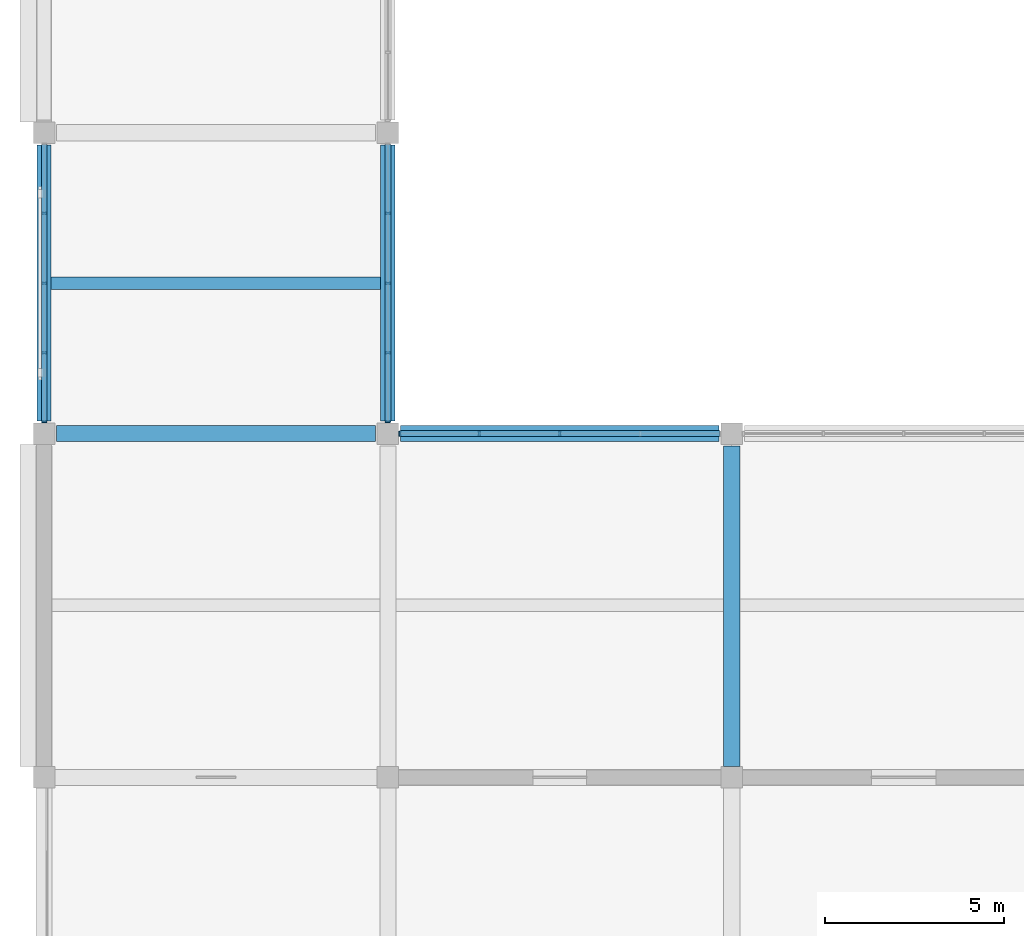
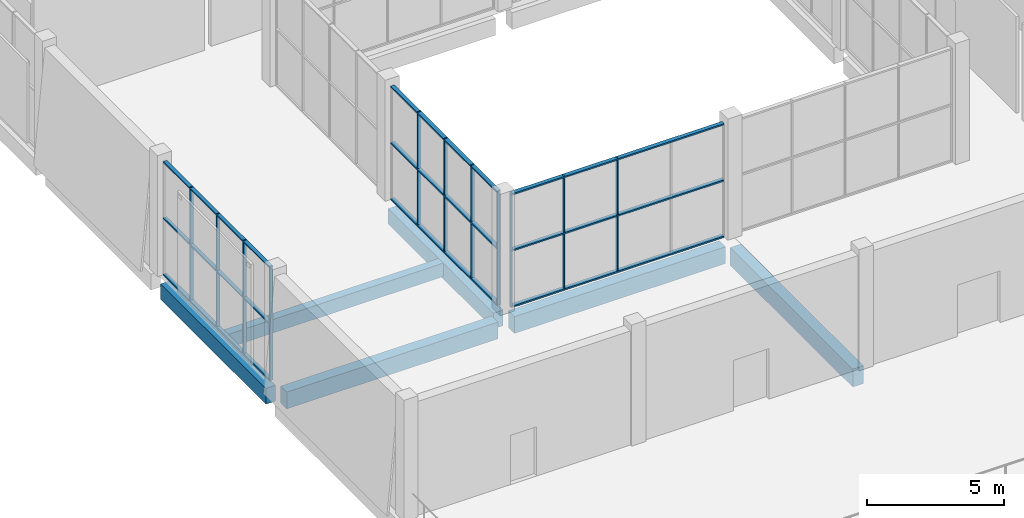
# One storey, part 21 of 83: 20 members, 6 beams, 3 elements without a shape of their own.
"""IFC4 building model written with IfcOpenShell, lengths in metres."""

import ifcopenshell
import ifcopenshell.guid

model = None  # the IFC model being written
_history = None  # IfcOwnerHistory: only IFC2X3 demands one
_inside = {}  # id of a spatial element -> (the spatial element, [elements in it])
_under = {}  # id of a project, library or spatial element -> (it, [spatial elements below it])
_declared = {}  # id of a project -> (the project, [libraries it declares])
_typed = {}  # id of a type object -> (the type object, [elements of that type])
_made_of = {}  # id of a material, layer set ... -> (it, [elements and type objects made of it])


def new_model(schema):
    """Start an empty IFC model of exactly this schema.

    Asked for "IFC4X3", IfcOpenShell would pick the latest addendum, in which some entities
    have other attributes; the version numbers below select the first issue.
    IFC2X3 requires an IfcOwnerHistory on every rooted entity: one is made here for all.
    """
    global model, _history
    if schema == "IFC4X3":
        model = ifcopenshell.file(schema_version=(4, 3, 0, 0))
    else:
        model = ifcopenshell.file(schema=schema)
    _inside.clear()
    _under.clear()
    _declared.clear()
    _typed.clear()
    _made_of.clear()
    _history = None
    if model.schema == "IFC2X3":
        org = make("IfcOrganization", Name="unknown")
        user = make(
            "IfcPersonAndOrganization",
            ThePerson=make("IfcPerson", FamilyName="unknown"),
            TheOrganization=org,
        )
        app = make(
            "IfcApplication",
            ApplicationDeveloper=org,
            Version="unknown",
            ApplicationFullName="unknown",
            ApplicationIdentifier="unknown",
        )
        _history = make(
            "IfcOwnerHistory",
            OwningUser=user,
            OwningApplication=app,
            ChangeAction="ADDED",
            CreationDate=0,
        )
    return model


def make(cls, **values):
    """One entity of the class cls with the attributes given. An attribute that is None is left unset."""
    return model.create_entity(
        cls, **{name: value for name, value in values.items() if value is not None}
    )


def rooted(cls, **values):
    """An entity with a GlobalId (a new one), such as an element, a storey or a relation."""
    return make(cls, GlobalId=ifcopenshell.guid.new(), OwnerHistory=_history, **values)


def si_unit(unit_type, name, prefix=None):
    """IfcSIUnit, for example si_unit("LENGTHUNIT", "METRE", prefix="MILLI")."""
    return make("IfcSIUnit", UnitType=unit_type, Prefix=prefix, Name=name)


def assignment(units):
    """IfcUnitAssignment: the units of a project."""
    return None if units is None else make("IfcUnitAssignment", Units=units)


def point(xyz):
    """IfcCartesianPoint."""
    return None if xyz is None else make("IfcCartesianPoint", Coordinates=xyz)


def direction(xyz):
    """IfcDirection."""
    return None if xyz is None else make("IfcDirection", DirectionRatios=xyz)


def frame(location, z_axis=None, x_axis=None):
    """IfcAxis2Placement3D, a coordinate frame: its origin and axes. An axis left out is left unset."""
    return make(
        "IfcAxis2Placement3D",
        Location=point(location),
        Axis=direction(z_axis),
        RefDirection=direction(x_axis),
    )


def frame_2d(location, x_axis=None):
    """IfcAxis2Placement2D, a coordinate frame in the plane: its origin and x axis."""
    return make(
        "IfcAxis2Placement2D", Location=point(location), RefDirection=direction(x_axis)
    )


def origin():
    """The frame at (0, 0, 0) with its axes left unset."""
    return frame((0.0, 0.0, 0.0))


def origin_2d():
    """The frame at (0, 0) in the plane with its x axis left unset."""
    return frame_2d((0.0, 0.0))


def place(relative_to, where):
    """IfcLocalPlacement: puts the frame where relative to a parent placement (None: the world)."""
    return make(
        "IfcLocalPlacement", PlacementRelTo=relative_to, RelativePlacement=where
    )


def context(
    kind, dimensions, precision=None, world=None, true_north=None, identifier=None
):
    """IfcGeometricRepresentationContext, for example the 3D "Model" context."""
    return make(
        "IfcGeometricRepresentationContext",
        ContextIdentifier=identifier,
        ContextType=kind,
        CoordinateSpaceDimension=dimensions,
        Precision=precision,
        WorldCoordinateSystem=world,
        TrueNorth=true_north,
    )


def subcontext(parent, identifier, kind, view, scale=None):
    """IfcGeometricRepresentationSubContext, for example "Body" below "Model"."""
    return make(
        "IfcGeometricRepresentationSubContext",
        ContextIdentifier=identifier,
        ContextType=kind,
        ParentContext=parent,
        TargetScale=scale,
        TargetView=view,
    )


def project(units=None, contexts=None):
    """IfcProject with its units and contexts."""
    return rooted(
        "IfcProject",
        Name="project",
        RepresentationContexts=contexts,
        UnitsInContext=assignment(units),
    )


def spatial(cls, under=None, at=None, **own):
    """A site, building, storey or space (cls), placed at a placement, below another one or the project."""
    s = rooted(cls, ObjectPlacement=at, **own)
    if under is not None:
        _under.setdefault(under.id(), (under, []))[1].append(s)
    return s


def profile(cls, at=None, kind="AREA", **sizes):
    """A parametric profile (cls). Its sizes go by their IFC names, for example OverallWidth=200.0."""
    return make(cls, ProfileType=kind, Position=at, **sizes)


def rectangle(**sizes):
    """IfcRectangleProfileDef."""
    return profile("IfcRectangleProfileDef", **sizes)


def extrude(swept, where, along, depth):
    """IfcExtrudedAreaSolid: the profile swept, set in the frame where, extruded along a direction by depth."""
    return make(
        "IfcExtrudedAreaSolid",
        SweptArea=swept,
        Position=where,
        ExtrudedDirection=direction(along),
        Depth=depth,
    )


def shape(context_of_items, identifier, shape_type, items):
    """IfcShapeRepresentation: the items that make up one representation, for example the "Body"."""
    return make(
        "IfcShapeRepresentation",
        ContextOfItems=context_of_items,
        RepresentationIdentifier=identifier,
        RepresentationType=shape_type,
        Items=items,
    )


def material(Name=None, Category=None):
    """IfcMaterial."""
    return make("IfcMaterial", Name=Name, Category=Category)


def material_profile(
    of_material, cross_section, Name=None, Category=None, Priority=None
):
    """IfcMaterialProfile: a cross section and its material."""
    return make(
        "IfcMaterialProfile",
        Name=Name,
        Material=of_material,
        Profile=cross_section,
        Priority=Priority,
        Category=Category,
    )


def profile_set(profiles, Name=None, composite=None):
    """IfcMaterialProfileSet."""
    return make(
        "IfcMaterialProfileSet",
        Name=Name,
        MaterialProfiles=profiles,
        CompositeProfile=composite,
    )


def made_of(thing, what):
    """Note that an element or type object is made of a material, layer set ...; save() writes the relation."""
    if what is not None:
        _made_of.setdefault(what.id(), (what, []))[1].append(thing)
    return thing


def type_object(cls, material=None, **own):
    """A type object (cls), such as IfcWallType, which elements share."""
    return made_of(rooted(cls, **own), material)


def element(
    cls,
    number,
    at=None,
    inside=None,
    cuts=None,
    type_object=None,
    material=None,
    context=None,
    identifier="Body",
    shape_type=None,
    held_by="IfcProductDefinitionShape",
    body=None,
    shapes=None,
    **own,
):
    """One element of the class cls, such as IfcWall. Its Tag is "e" and its number.

    at: its placement. inside: the storey or other place that contains it. cuts: it is an
    opening in that element (IfcRelVoidsElement). A single representation is given by context,
    identifier, shape_type and body (its items); several are given by shapes. held_by: the class
    of the entity that holds the representations. save() writes the other relations.
    """
    e = rooted(cls, Tag="e%d" % number, ObjectPlacement=at, **own)
    if body is not None:
        shapes = [shape(context, identifier, shape_type, body)]
    if shapes is not None:
        e.Representation = make(held_by, Representations=shapes)
    if inside is not None:
        _inside.setdefault(inside.id(), (inside, []))[1].append(e)
    if cuts is not None:
        rooted(
            "IfcRelVoidsElement", RelatingBuildingElement=cuts, RelatedOpeningElement=e
        )
    if type_object is not None:
        _typed.setdefault(type_object.id(), (type_object, []))[1].append(e)
    return made_of(e, material)


def aggregate(whole, parts):
    """IfcRelAggregates: a whole, such as a stair, and the parts it consists of."""
    return rooted("IfcRelAggregates", RelatingObject=whole, RelatedObjects=parts)


def save(model, path):
    """Write the relations noted so far, then the file.

    IfcRelAggregates (storeys below a building ...), IfcRelContainedInSpatialStructure (elements
    in a storey), IfcRelDefinesByType, IfcRelAssociatesMaterial and IfcRelDeclares: one each for
    every whole, place, type object, material and project.
    """
    for whole, parts in _under.values():
        aggregate(whole, parts)
    for where, things in _inside.values():
        rooted(
            "IfcRelContainedInSpatialStructure",
            RelatedElements=things,
            RelatingStructure=where,
        )
    for kind, things in _typed.values():
        rooted("IfcRelDefinesByType", RelatedObjects=things, RelatingType=kind)
    for what, things in _made_of.values():
        rooted("IfcRelAssociatesMaterial", RelatedObjects=things, RelatingMaterial=what)
    for by, libraries in _declared.values():
        rooted("IfcRelDeclares", RelatingContext=by, RelatedDefinitions=libraries)
    model.write(path)


model = new_model("IFC4")

# Units and contexts
model_context = context("Model", 3, precision=1e-05, world=origin(), true_north=direction((0.0, 1.0)))
body_context = subcontext(model_context, "Body", "Model", "MODEL_VIEW")
ifc_project = project(units=[si_unit("LENGTHUNIT", "METRE"), si_unit("AREAUNIT", "SQUARE_METRE"), si_unit("VOLUMEUNIT", "CUBIC_METRE"), si_unit("PLANEANGLEUNIT", "RADIAN"), si_unit("MASSUNIT", "GRAM", prefix="KILO")], contexts=[model_context])

# Site, building, storey
site_placement = place(None, origin())
site = spatial("IfcSite", under=ifc_project, at=site_placement, CompositionType="ELEMENT")
building_placement = place(site_placement, origin())
building = spatial("IfcBuilding", under=site, at=building_placement, Name="Shalvenor Court Art Gallery", CompositionType="ELEMENT")
storey_placement = place(building_placement, frame((0.0, 0.0, 6.0)))
storey = spatial("IfcBuildingStorey", under=building, at=storey_placement, Name="L01", CompositionType="ELEMENT", Elevation=6.0)

# Beams
ifc_material_1 = material(Name="Concrete C40/50", Category="concrete")
ifc_material_profile_1 = material_profile(ifc_material_1, rectangle(XDim=0.449951171875, YDim=0.800048828125, at=origin_2d()), Name="RC 450x800")
ifc_profile_set_1 = profile_set([ifc_material_profile_1], Name="Concrete C40/50")
beam_type_1 = type_object("IfcBeamType", Name="B-03", PredefinedType="BEAM", material=ifc_profile_set_1)
beam_1_placement = place(storey_placement, frame((19.199951171875, 79.5, -0.719970703125), z_axis=(0.0, 1.0, 0.0), x_axis=(-1.0, 0.0, 0.0)))
element("IfcBeam", 1, at=beam_1_placement, inside=storey, type_object=beam_type_1, Name="L01 Girder BM-L01-B-03-0378", PredefinedType="BEAM", context=body_context, shape_type="SweptSolid", body=[
    extrude(rectangle(XDim=0.449951171875, YDim=0.800048828125, at=origin_2d()), origin(), (0.0, 0.0, 1.0), 8.949951171875),
])
ifc_material_2 = material(Name="Concrete C40/50", Category="concrete")
ifc_material_profile_2 = material_profile(ifc_material_2, rectangle(XDim=0.449951171875, YDim=0.75, at=origin_2d()), Name="RC 450x750")
ifc_profile_set_2 = profile_set([ifc_material_profile_2], Name="Concrete C40/50")
beam_type_2 = type_object("IfcBeamType", Name="B-04", PredefinedType="BEAM", material=ifc_profile_set_2)
beam_2_placement = place(storey_placement, frame((0.35009765625, 88.800048828125, -0.695068359375), z_axis=(1.0, 0.0, 0.0), x_axis=(0.0, 1.0, 0.0)))
element("IfcBeam", 2, at=beam_2_placement, inside=storey, type_object=beam_type_2, Name="L01 Girder BM-L01-B-04-0572", PredefinedType="BEAM", context=body_context, shape_type="SweptSolid", body=[
    extrude(rectangle(XDim=0.449951171875, YDim=0.75, at=origin_2d()), origin(), (0.0, 0.0, 1.0), 8.89990234375),
])
beam_3_placement = place(storey_placement, frame((9.949951171875, 88.800048828125, -0.695068359375), z_axis=(1.0, 0.0, 0.0), x_axis=(0.0, 1.0, 0.0)))
element("IfcBeam", 3, at=beam_3_placement, inside=storey, type_object=beam_type_2, Name="L01 Girder BM-L01-B-04-0573", PredefinedType="BEAM", context=body_context, shape_type="SweptSolid", body=[
    extrude(rectangle(XDim=0.449951171875, YDim=0.75, at=origin_2d()), origin(), (0.0, 0.0, 1.0), 8.900146484375),
])
ifc_material_3 = material(Name="Concrete C40/50", Category="concrete")
ifc_material_profile_3 = material_profile(ifc_material_3, rectangle(XDim=0.39990234375, YDim=0.699951171875, at=origin_2d()), Name="RC 400x700")
ifc_profile_set_3 = profile_set([ifc_material_profile_3], Name="Concrete C40/50")
beam_type_3 = type_object("IfcBeamType", Name="B-05", PredefinedType="BEAM", material=ifc_profile_set_3)
for number, where, z_axis, x_axis, name in (
    (4, (0.0, 89.14990234375, -0.669921875), (0.0, 1.0, 0.0), (-1.0, 0.0, 0.0), "L01 Girder BM-L01-B-05-0362"),
    (5, (9.60009765625, 89.14990234375, -0.669921875), (0.0, 1.0, 0.0), (-1.0, 0.0, 0.0), "L01 Girder BM-L01-B-05-0370"),
):
    element("IfcBeam", number, at=place(storey_placement, frame(where, z_axis=z_axis, x_axis=x_axis)), inside=storey, type_object=beam_type_3, Name=name, PredefinedType="BEAM", context=body_context, shape_type="SweptSolid", body=[
        extrude(rectangle(XDim=0.39990234375, YDim=0.699951171875, at=origin_2d()), origin(), (0.0, 0.0, 1.0), 7.7001953125),
    ])

# Curtain wall, members
ifc_material_4 = material(Name="Anodised aluminium and low-iron glass curtain wall", Category="aluminium")
curtain_wall_type_1 = type_object("IfcCurtainWallType", Name="CW-4x2-78-51-611", PredefinedType="USERDEFINED", material=ifc_material_4)
curtain_wall_1_placement = place(storey_placement, origin())
curtain_wall_1 = element("IfcCurtainWall", 6, at=curtain_wall_1_placement, inside=storey, type_object=curtain_wall_type_1, Name="L01 V5 Curtain Wall CW-L01-171", ObjectType="CURTAIN WALL", PredefinedType="USERDEFINED")
ifc_material_5 = material(Name="Anodised aluminium mullion", Category="aluminium")
ifc_material_profile_4 = material_profile(ifc_material_5, rectangle(XDim=0.054931640625, YDim=0.139892578125, at=origin_2d()), Name="CWM-06")
ifc_profile_set_4 = profile_set([ifc_material_profile_4], Name="Anodised aluminium mullion")
member_type_1 = type_object("IfcMemberType", Name="CWM-06", PredefinedType="MULLION", material=ifc_profile_set_4)
member_1_placement = place(storey_placement, frame((0.0, 89.12744140625, 0.0), z_axis=(0.0, 0.0, 1.0), x_axis=(0.0, 1.0, 0.0)))
member_1 = element("IfcMember", 7, at=member_1_placement, type_object=member_type_1, Name="CW-4x2-78-51-611 mullion 1", PredefinedType="MULLION", context=body_context, shape_type="SweptSolid", body=[
    extrude(rectangle(XDim=0.054931640625, YDim=0.139892578125, at=origin_2d()), origin(), (0.0, 0.0, 1.0), 5.080078125),
])
member_2_placement = place(storey_placement, frame((0.0, 91.050048828125, 0.0), z_axis=(0.0, 0.0, 1.0), x_axis=(0.0, 1.0, 0.0)))
member_2 = element("IfcMember", 8, at=member_2_placement, type_object=member_type_1, Name="CW-4x2-78-51-611 mullion 2", PredefinedType="MULLION", context=body_context, shape_type="SweptSolid", body=[
    extrude(rectangle(XDim=0.054931640625, YDim=0.139892578125, at=origin_2d()), origin(), (0.0, 0.0, 1.0), 5.080078125),
])
member_3_placement = place(storey_placement, frame((0.0, 93.0, 0.0), z_axis=(0.0, 0.0, 1.0), x_axis=(0.0, 1.0, 0.0)))
member_3 = element("IfcMember", 9, at=member_3_placement, type_object=member_type_1, Name="CW-4x2-78-51-611 mullion 3", PredefinedType="MULLION", context=body_context, shape_type="SweptSolid", body=[
    extrude(rectangle(XDim=0.054931640625, YDim=0.139892578125, at=origin_2d()), origin(), (0.0, 0.0, 1.0), 5.080078125),
])
member_4_placement = place(storey_placement, frame((0.0, 94.949951171875, 0.0), z_axis=(0.0, 0.0, 1.0), x_axis=(0.0, 1.0, 0.0)))
member_4 = element("IfcMember", 10, at=member_4_placement, type_object=member_type_1, Name="CW-4x2-78-51-611 mullion 4", PredefinedType="MULLION", context=body_context, shape_type="SweptSolid", body=[
    extrude(rectangle(XDim=0.054931640625, YDim=0.139892578125, at=origin_2d()), origin(), (0.0, 0.0, 1.0), 5.080078125),
])

ifc_material_6 = material(Name="Anodised aluminium and low-iron glass curtain wall", Category="aluminium")
curtain_wall_type_2 = type_object("IfcCurtainWallType", Name="CW-CT-4-90", PredefinedType="USERDEFINED", material=ifc_material_6)
curtain_wall_2_placement = place(storey_placement, origin())
curtain_wall_2 = element("IfcCurtainWall", 11, at=curtain_wall_2_placement, inside=storey, type_object=curtain_wall_type_2, Name="L01 Studios Courtyard Curtain Wall CW-CRT-L01-173", ObjectType="CURTAIN WALL", PredefinedType="USERDEFINED")
member_5_placement = place(storey_placement, frame((9.927490234375, 88.800048828125, 0.0), z_axis=(0.0, 0.0, 1.0), x_axis=(1.0, 0.0, 0.0)))
member_5 = element("IfcMember", 12, at=member_5_placement, type_object=member_type_1, Name="CW-CT-4-90 mullion 1", PredefinedType="MULLION", context=body_context, shape_type="SweptSolid", body=[
    extrude(rectangle(XDim=0.054931640625, YDim=0.139892578125, at=origin_2d()), origin(), (0.0, 0.0, 1.0), 5.080078125),
])
member_6_placement = place(storey_placement, frame((12.14990234375, 88.800048828125, 0.0), z_axis=(0.0, 0.0, 1.0), x_axis=(1.0, 0.0, 0.0)))
member_6 = element("IfcMember", 13, at=member_6_placement, type_object=member_type_1, Name="CW-CT-4-90 mullion 2", PredefinedType="MULLION", context=body_context, shape_type="SweptSolid", body=[
    extrude(rectangle(XDim=0.054931640625, YDim=0.139892578125, at=origin_2d()), origin(), (0.0, 0.0, 1.0), 5.080078125),
])
member_7_placement = place(storey_placement, frame((14.39990234375, 88.800048828125, 0.0), z_axis=(0.0, 0.0, 1.0), x_axis=(1.0, 0.0, 0.0)))
member_7 = element("IfcMember", 14, at=member_7_placement, type_object=member_type_1, Name="CW-CT-4-90 mullion 3", PredefinedType="MULLION", context=body_context, shape_type="SweptSolid", body=[
    extrude(rectangle(XDim=0.054931640625, YDim=0.139892578125, at=origin_2d()), origin(), (0.0, 0.0, 1.0), 5.080078125),
])

ifc_material_7 = material(Name="Anodised aluminium and low-iron glass curtain wall", Category="aluminium")
curtain_wall_type_3 = type_object("IfcCurtainWallType", Name="CW-CT-4-78", PredefinedType="USERDEFINED", material=ifc_material_7)
curtain_wall_3_placement = place(storey_placement, origin())
curtain_wall_3 = element("IfcCurtainWall", 15, at=curtain_wall_3_placement, inside=storey, type_object=curtain_wall_type_3, Name="L01 Studios Courtyard Curtain Wall CW-CRT-L01-180", ObjectType="CURTAIN WALL", PredefinedType="USERDEFINED")
member_8_placement = place(storey_placement, frame((9.60009765625, 94.949951171875, 0.0), z_axis=(0.0, 0.0, 1.0), x_axis=(0.0, -1.0, 0.0)))
member_8 = element("IfcMember", 16, at=member_8_placement, type_object=member_type_1, Name="CW-CT-4-78 mullion 2", PredefinedType="MULLION", context=body_context, shape_type="SweptSolid", body=[
    extrude(rectangle(XDim=0.054931640625, YDim=0.139892578125, at=origin_2d()), origin(), (0.0, 0.0, 1.0), 5.080078125),
])
member_9_placement = place(storey_placement, frame((9.60009765625, 93.0, 0.0), z_axis=(0.0, 0.0, 1.0), x_axis=(0.0, -1.0, 0.0)))
member_9 = element("IfcMember", 17, at=member_9_placement, type_object=member_type_1, Name="CW-CT-4-78 mullion 3", PredefinedType="MULLION", context=body_context, shape_type="SweptSolid", body=[
    extrude(rectangle(XDim=0.054931640625, YDim=0.139892578125, at=origin_2d()), origin(), (0.0, 0.0, 1.0), 5.080078125),
])
member_10_placement = place(storey_placement, frame((9.60009765625, 91.050048828125, 0.0), z_axis=(0.0, 0.0, 1.0), x_axis=(0.0, -1.0, 0.0)))
member_10 = element("IfcMember", 18, at=member_10_placement, type_object=member_type_1, Name="CW-CT-4-78 mullion 4", PredefinedType="MULLION", context=body_context, shape_type="SweptSolid", body=[
    extrude(rectangle(XDim=0.054931640625, YDim=0.139892578125, at=origin_2d()), origin(), (0.0, 0.0, 1.0), 5.080078125),
])
member_11_placement = place(storey_placement, frame((9.60009765625, 89.12744140625, 0.0), z_axis=(0.0, 0.0, 1.0), x_axis=(0.0, -1.0, 0.0)))
member_11 = element("IfcMember", 19, at=member_11_placement, type_object=member_type_1, Name="CW-CT-4-78 mullion 5", PredefinedType="MULLION", context=body_context, shape_type="SweptSolid", body=[
    extrude(rectangle(XDim=0.054931640625, YDim=0.139892578125, at=origin_2d()), origin(), (0.0, 0.0, 1.0), 5.080078125),
])

# Member
ifc_material_8 = material(Name="Anodised aluminium transom", Category="aluminium")
ifc_material_profile_5 = material_profile(ifc_material_8, rectangle(XDim=0.14990234375, YDim=0.06005859375, at=origin_2d()), Name="CWT-01")
ifc_profile_set_5 = profile_set([ifc_material_profile_5], Name="Anodised aluminium transom")
member_type_2 = type_object("IfcMemberType", Name="CWT-01", PredefinedType="USERDEFINED", material=ifc_profile_set_5)
member_12_placement = place(storey_placement, frame((0.0, 89.12744140625, 0.030029296875), z_axis=(0.0, 1.0, 0.0), x_axis=(-1.0, 0.0, 0.0)))
member_12 = element("IfcMember", 20, at=member_12_placement, type_object=member_type_2, Name="CW-4x2-78-51-611 transom 1", ObjectType="TRANSOM", PredefinedType="USERDEFINED", context=body_context, shape_type="SweptSolid", body=[
    extrude(rectangle(XDim=0.14990234375, YDim=0.06005859375, at=origin_2d()), origin(), (0.0, 0.0, 1.0), 7.7451171875),
])

member_13_placement = place(storey_placement, frame((0.0, 89.12744140625, 2.5400390625), z_axis=(0.0, 1.0, 0.0), x_axis=(-1.0, 0.0, 0.0)))
member_13 = element("IfcMember", 21, at=member_13_placement, type_object=member_type_2, Name="CW-4x2-78-51-611 transom 2", ObjectType="TRANSOM", PredefinedType="USERDEFINED", context=body_context, shape_type="SweptSolid", body=[
    extrude(rectangle(XDim=0.14990234375, YDim=0.06005859375, at=origin_2d()), origin(), (0.0, 0.0, 1.0), 7.7451171875),
])

member_14_placement = place(storey_placement, frame((0.0, 89.12744140625, 5.050048828125), z_axis=(0.0, 1.0, 0.0), x_axis=(-1.0, 0.0, 0.0)))
member_14 = element("IfcMember", 22, at=member_14_placement, type_object=member_type_2, Name="CW-4x2-78-51-611 transom 3", ObjectType="TRANSOM", PredefinedType="USERDEFINED", context=body_context, shape_type="SweptSolid", body=[
    extrude(rectangle(XDim=0.14990234375, YDim=0.06005859375, at=origin_2d()), origin(), (0.0, 0.0, 1.0), 7.7451171875),
])

aggregate(curtain_wall_1, [member_1, member_2, member_3, member_4, member_12, member_13, member_14])

ifc_material_9 = material(Name="Anodised aluminium transom", Category="aluminium")
ifc_material_profile_6 = material_profile(ifc_material_9, rectangle(XDim=0.169921875, YDim=0.06494140625, at=origin_2d()), Name="CWT-02")
ifc_profile_set_6 = profile_set([ifc_material_profile_6], Name="Anodised aluminium transom")
member_type_3 = type_object("IfcMemberType", Name="CWT-02", PredefinedType="USERDEFINED", material=ifc_profile_set_6)
member_15_placement = place(storey_placement, frame((9.927490234375, 88.800048828125, 0.032470703125), z_axis=(1.0, 0.0, 0.0), x_axis=(0.0, 1.0, 0.0)))
member_15 = element("IfcMember", 23, at=member_15_placement, type_object=member_type_3, Name="CW-CT-4-90 transom 1", ObjectType="TRANSOM", PredefinedType="USERDEFINED", context=body_context, shape_type="SweptSolid", body=[
    extrude(rectangle(XDim=0.169921875, YDim=0.06494140625, at=origin_2d()), origin(), (0.0, 0.0, 1.0), 8.945068359375),
])

member_16_placement = place(storey_placement, frame((9.927490234375, 88.800048828125, 2.5400390625), z_axis=(1.0, 0.0, 0.0), x_axis=(0.0, 1.0, 0.0)))
member_16 = element("IfcMember", 24, at=member_16_placement, type_object=member_type_3, Name="CW-CT-4-90 transom 2", ObjectType="TRANSOM", PredefinedType="USERDEFINED", context=body_context, shape_type="SweptSolid", body=[
    extrude(rectangle(XDim=0.169921875, YDim=0.06494140625, at=origin_2d()), origin(), (0.0, 0.0, 1.0), 8.945068359375),
])

member_17_placement = place(storey_placement, frame((9.927490234375, 88.800048828125, 5.047607421875), z_axis=(1.0, 0.0, 0.0), x_axis=(0.0, 1.0, 0.0)))
member_17 = element("IfcMember", 25, at=member_17_placement, type_object=member_type_3, Name="CW-CT-4-90 transom 3", ObjectType="TRANSOM", PredefinedType="USERDEFINED", context=body_context, shape_type="SweptSolid", body=[
    extrude(rectangle(XDim=0.169921875, YDim=0.06494140625, at=origin_2d()), origin(), (0.0, 0.0, 1.0), 8.945068359375),
])

aggregate(curtain_wall_2, [member_5, member_6, member_7, member_15, member_16, member_17])

member_18_placement = place(storey_placement, frame((9.60009765625, 96.87255859375, 0.032470703125), z_axis=(0.0, -1.0, 0.0), x_axis=(1.0, 0.0, 0.0)))
member_18 = element("IfcMember", 26, at=member_18_placement, type_object=member_type_3, Name="CW-CT-4-78 transom 1", ObjectType="TRANSOM", PredefinedType="USERDEFINED", context=body_context, shape_type="SweptSolid", body=[
    extrude(rectangle(XDim=0.169921875, YDim=0.06494140625, at=origin_2d()), origin(), (0.0, 0.0, 1.0), 7.7451171875),
])

member_19_placement = place(storey_placement, frame((9.60009765625, 96.87255859375, 2.5400390625), z_axis=(0.0, -1.0, 0.0), x_axis=(1.0, 0.0, 0.0)))
member_19 = element("IfcMember", 27, at=member_19_placement, type_object=member_type_3, Name="CW-CT-4-78 transom 2", ObjectType="TRANSOM", PredefinedType="USERDEFINED", context=body_context, shape_type="SweptSolid", body=[
    extrude(rectangle(XDim=0.169921875, YDim=0.06494140625, at=origin_2d()), origin(), (0.0, 0.0, 1.0), 7.7451171875),
])

member_20_placement = place(storey_placement, frame((9.60009765625, 96.87255859375, 5.047607421875), z_axis=(0.0, -1.0, 0.0), x_axis=(1.0, 0.0, 0.0)))
member_20 = element("IfcMember", 28, at=member_20_placement, type_object=member_type_3, Name="CW-CT-4-78 transom 3", ObjectType="TRANSOM", PredefinedType="USERDEFINED", context=body_context, shape_type="SweptSolid", body=[
    extrude(rectangle(XDim=0.169921875, YDim=0.06494140625, at=origin_2d()), origin(), (0.0, 0.0, 1.0), 7.7451171875),
])

aggregate(curtain_wall_3, [member_8, member_9, member_10, member_11, member_18, member_19, member_20])

# Beam
ifc_material_10 = material(Name="Concrete C40/50", Category="concrete")
ifc_material_profile_7 = material_profile(ifc_material_10, rectangle(XDim=0.35009765625, YDim=0.60009765625, at=origin_2d()), Name="RC 350x600")
ifc_profile_set_7 = profile_set([ifc_material_profile_7], Name="Concrete C40/50")
beam_type_4 = type_object("IfcBeamType", Name="J-01", PredefinedType="JOIST", material=ifc_profile_set_7)
beam_4_placement = place(storey_placement, frame((0.199951171875, 93.0, -0.6201171875), z_axis=(1.0, 0.0, 0.0), x_axis=(0.0, 1.0, 0.0)))
element("IfcBeam", 29, at=beam_4_placement, inside=storey, type_object=beam_type_4, Name="L01 Secondary Beam JST-L01-J-01-0626", PredefinedType="JOIST", context=body_context, shape_type="SweptSolid", body=[
    extrude(rectangle(XDim=0.35009765625, YDim=0.60009765625, at=origin_2d()), origin(), (0.0, 0.0, 1.0), 9.199951171875),
])

save(model, "model.ifc")
